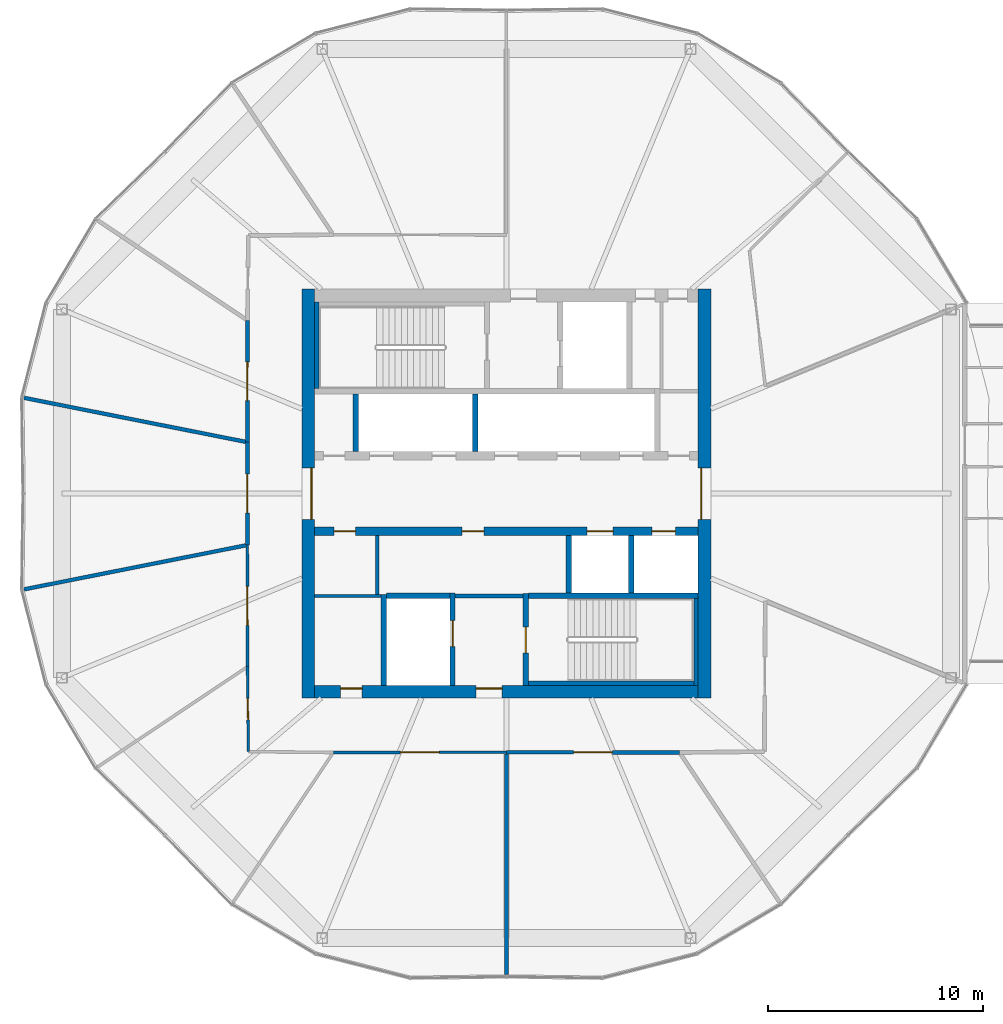
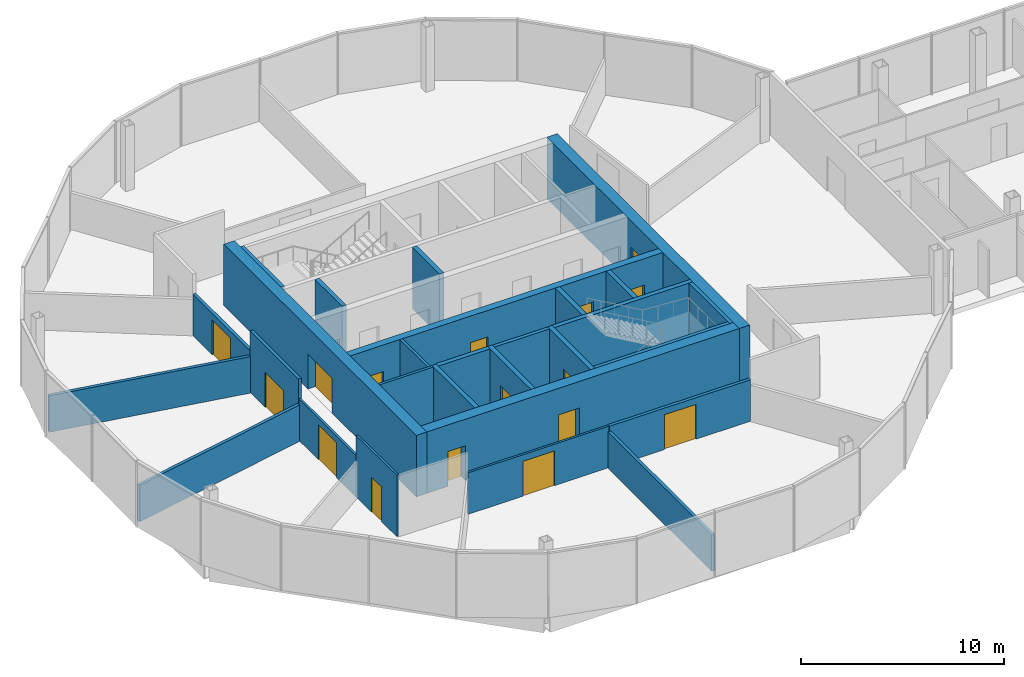
# One storey, part 19 of 26: 28 walls, 16 doors, 16 openings.
"""IFC4 building model written with IfcOpenShell, lengths in metres."""

from ifc_helpers import new_model, si_unit, direction, frame, frame_2d, origin, place, context, subcontext, project, spatial, rectangle, extrude, material, layer, layer_set, type_object, element, fill, save


model = new_model("IFC4")

# Units and contexts
model_context = context("Model", 3, precision=1e-05, world=origin(), true_north=direction((0.0, 1.0)))
body_context = subcontext(model_context, "Body", "Model", "MODEL_VIEW")
ifc_project = project(units=[si_unit("LENGTHUNIT", "METRE"), si_unit("AREAUNIT", "SQUARE_METRE"), si_unit("VOLUMEUNIT", "CUBIC_METRE"), si_unit("PLANEANGLEUNIT", "RADIAN"), si_unit("MASSUNIT", "GRAM", prefix="KILO")], contexts=[model_context])

# Site, building, storey
site_placement = place(None, origin())
site = spatial("IfcSite", under=ifc_project, at=site_placement, CompositionType="ELEMENT")
building_placement = place(site_placement, origin())
building = spatial("IfcBuilding", under=site, at=building_placement, Name="Ogive Gate Towers", CompositionType="ELEMENT")
storey_placement = place(building_placement, frame((0.0, 0.0, 156.800048828125)))
storey = spatial("IfcBuildingStorey", under=building, at=storey_placement, Name="L37", CompositionType="ELEMENT", Elevation=156.800048828125)

# Walls
ifc_material_1 = material(Name="Gypsum board acoustic partition")
ifc_layer_1 = layer(ifc_material_1, 0.175048828125)
ifc_layer_set_1 = layer_set([ifc_layer_1], Name="Acoustic partition 175")
wall_type_1 = type_object("IfcWallType", Name="Acoustic partition 175", PredefinedType="PARTITIONING", material=ifc_layer_set_1)
for number, where, z_axis, x_axis, name in (
    (1, (-58.402099609375, 4.447998046875, 0.0), (0.0, 0.0, 1.0), (0.98085270694, -0.19475103925, 0.0), "Partition T1-L37-006"),
    (2, (-58.402099609375, -4.447998046875, 0.0), (0.0, 0.0, 1.0), (0.98085270694, 0.19475103925, 0.0), "Partition T1-L37-007"),
):
    element("IfcWall", number, at=place(storey_placement, frame(where, z_axis=z_axis, x_axis=x_axis)), inside=storey, type_object=wall_type_1, Name=name, PredefinedType="PARTITIONING", context=body_context, shape_type="SweptSolid", body=[
        extrude(rectangle(XDim=10.491455078125, YDim=0.175048828125, at=frame_2d((5.24560546875, 0.0))), origin(), (0.0, 0.0, 1.0), 2.199951171875),
    ])
wall_1_placement = place(storey_placement, frame((-36.0, -22.339111328125, 0.0), z_axis=(0.0, 0.0, 1.0), x_axis=(0.0, 1.0, 0.0)))
element("IfcWall", 3, at=wall_1_placement, inside=storey, type_object=wall_type_1, Name="Partition T1-L37-010", PredefinedType="PARTITIONING", context=body_context, shape_type="SweptSolid", body=[
    extrude(rectangle(XDim=10.24169921875, YDim=0.175048828125, at=frame_2d((5.120849609375, 0.0))), origin(), (0.0, 0.0, 1.0), 2.199951171875),
])

# Wall, opening, door
wall_2_placement = place(storey_placement, frame((-48.020751953125, 8.0380859375, 0.0), z_axis=(0.0, 0.0, 1.0), x_axis=(-0.000907362226, -0.999999588347, 0.0)))
wall_2 = element("IfcWall", 4, at=wall_2_placement, inside=storey, type_object=wall_type_1, Name="Partition T1-L37-017", PredefinedType="PARTITIONING", context=body_context, shape_type="SweptSolid", body=[
    extrude(rectangle(XDim=5.650390625, YDim=0.175048828125, at=frame_2d((2.8251953125, 0.0))), origin(), (0.0, 0.0, 1.0), 2.5),
])
opening_1_placement = place(wall_2_placement, frame((1.925048828125, 0.0, 0.0)))
opening_1 = element("IfcOpeningElement", 5, at=opening_1_placement, cuts=wall_2, Name="Opening T1-L37-D04", PredefinedType="OPENING", context=body_context, shape_type="SweptSolid", body=[
    extrude(rectangle(XDim=1.800048828125, YDim=2.10009765625, at=frame_2d((0.89990234375, 1.050048828125))), frame((0.0, 0.09765625, 0.0), z_axis=(0.0, -1.0, 0.0), x_axis=(1.0, 0.0, 0.0)), (0.0, 0.0, 1.0), 0.195068359375),
])
ifc_material_2 = material(Name="Timber door", Category="wood")
door_type_1 = type_object("IfcDoorType", Name="Door pair 1800", OperationType="NOTDEFINED", PredefinedType="DOOR", material=ifc_material_2)
door_1_placement = place(opening_1_placement, origin())
door_1 = element("IfcDoor", 6, at=door_1_placement, inside=storey, type_object=door_type_1, Name="Door T1-L37-D04", OperationType="DOUBLE_DOOR_DOUBLE_SWING", OverallHeight=2.10009765625, OverallWidth=1.800048828125, PredefinedType="DOOR", context=body_context, shape_type="SweptSolid", body=[
    extrude(rectangle(XDim=1.800048828125, YDim=2.10009765625, at=frame_2d((0.89990234375, 1.050048828125))), frame((0.0, 0.02490234375, 0.0), z_axis=(0.0, -1.0, 0.0), x_axis=(1.0, 0.0, 0.0)), (0.0, 0.0, 1.0), 0.050048828125),
])
fill(opening_1, door_1)

wall_3_placement = place(storey_placement, frame((-48.02587890625, 2.3876953125, 0.0), z_axis=(0.0, 0.0, 1.0), x_axis=(0.0, -1.0, 0.0)))
wall_3 = element("IfcWall", 7, at=wall_3_placement, inside=storey, type_object=wall_type_1, Name="Partition T1-L37-018", PredefinedType="PARTITIONING", context=body_context, shape_type="SweptSolid", body=[
    extrude(rectangle(XDim=4.775390625, YDim=0.175048828125, at=frame_2d((2.3876953125, 0.0))), origin(), (0.0, 0.0, 1.0), 3.699951171875),
])
opening_2_placement = place(wall_3_placement, frame((1.488037109375, 0.0, 0.0)))
opening_2 = element("IfcOpeningElement", 8, at=opening_2_placement, cuts=wall_3, Name="Opening T1-L37-D05", PredefinedType="OPENING", context=body_context, shape_type="SweptSolid", body=[
    extrude(rectangle(XDim=1.800048828125, YDim=2.10009765625, at=frame_2d((0.89990234375, 1.050048828125))), frame((0.0, 0.09765625, 0.0), z_axis=(0.0, -1.0, 0.0), x_axis=(1.0, 0.0, 0.0)), (0.0, 0.0, 1.0), 0.195068359375),
])
door_2_placement = place(opening_2_placement, origin())
door_2 = element("IfcDoor", 9, at=door_2_placement, inside=storey, type_object=door_type_1, Name="Door T1-L37-D05", OperationType="DOUBLE_DOOR_DOUBLE_SWING", OverallHeight=2.10009765625, OverallWidth=1.800048828125, PredefinedType="DOOR", context=body_context, shape_type="SweptSolid", body=[
    extrude(rectangle(XDim=1.800048828125, YDim=2.10009765625, at=frame_2d((0.89990234375, 1.050048828125))), frame((0.0, 0.02490234375, 0.0), z_axis=(0.0, -1.0, 0.0), x_axis=(1.0, 0.0, 0.0)), (0.0, 0.0, 1.0), 0.050048828125),
])
fill(opening_2, door_2)

wall_4_placement = place(storey_placement, frame((-36.0, -12.010009765625, 0.0), z_axis=(0.0, 0.0, 1.0), x_axis=(0.999999107004, -0.001336409935, 0.0)))
wall_4 = element("IfcWall", 10, at=wall_4_placement, inside=storey, type_object=wall_type_1, Name="Partition T1-L37-023", PredefinedType="PARTITIONING", context=body_context, shape_type="SweptSolid", body=[
    extrude(rectangle(XDim=8.0380859375, YDim=0.175048828125, at=frame_2d((4.01904296875, 0.0))), origin(), (0.0, 0.0, 1.0), 2.5),
])
opening_3_placement = place(wall_4_placement, frame((3.118896484375, 0.0, 0.0)))
opening_3 = element("IfcOpeningElement", 11, at=opening_3_placement, cuts=wall_4, Name="Opening T1-L37-D09", PredefinedType="OPENING", context=body_context, shape_type="SweptSolid", body=[
    extrude(rectangle(XDim=1.800048828125, YDim=2.10009765625, at=frame_2d((0.89990234375, 1.050048828125))), frame((0.0, 0.09765625, 0.0), z_axis=(0.0, -1.0, 0.0), x_axis=(1.0, 0.0, 0.0)), (0.0, 0.0, 1.0), 0.195068359375),
])
door_3_placement = place(opening_3_placement, origin())
door_3 = element("IfcDoor", 12, at=door_3_placement, inside=storey, type_object=door_type_1, Name="Door T1-L37-D09", OperationType="DOUBLE_DOOR_DOUBLE_SWING", OverallHeight=2.10009765625, OverallWidth=1.800048828125, PredefinedType="DOOR", context=body_context, shape_type="SweptSolid", body=[
    extrude(rectangle(XDim=1.800048828125, YDim=2.10009765625, at=frame_2d((0.89990234375, 1.050048828125))), frame((0.0, 0.02490234375, 0.0), z_axis=(0.0, -1.0, 0.0), x_axis=(1.0, 0.0, 0.0)), (0.0, 0.0, 1.0), 0.050048828125),
])
fill(opening_3, door_3)

# Wall
ifc_material_3 = material(Name="Masonry blockwork", Category="masonry")
ifc_layer_2 = layer(ifc_material_3, 0.199951171875)
ifc_layer_set_2 = layer_set([ifc_layer_2], Name="Blockwork wall 200 mm")
wall_type_2 = type_object("IfcWallType", Name="Blockwork wall 200 mm", PredefinedType="PARTITIONING", material=ifc_layer_set_2)
wall_5_placement = place(storey_placement, frame((-38.375, -4.75, 0.0), z_axis=(0.0, 0.0, 1.0), x_axis=(1.0, 0.0, 0.0)))
element("IfcWall", 13, at=wall_5_placement, inside=storey, type_object=wall_type_2, Name="T1 L37 Blockwork wall 200 mm", PredefinedType="PARTITIONING", context=body_context, shape_type="SweptSolid", body=[
    extrude(rectangle(XDim=3.14990234375, YDim=0.199951171875, at=frame_2d((1.574951171875, 0.0))), origin(), (0.0, 0.0, 1.0), 3.699951171875),
])

# Wall, openings, doors
ifc_material_4 = material(Name="Concrete C60/75", Category="concrete")
ifc_layer_3 = layer(ifc_material_4, 0.60009765625)
ifc_layer_set_3 = layer_set([ifc_layer_3], Name="Core wall 600 mm")
wall_type_3 = type_object("IfcWallType", Name="Core wall 600 mm", PredefinedType="SHEAR", material=ifc_layer_set_3)
wall_6_placement = place(storey_placement, frame((-44.89990234375, -9.199951171875, 0.0), z_axis=(0.0, 0.0, 1.0), x_axis=(1.0, 0.0, 0.0)))
wall_6 = element("IfcWall", 14, at=wall_6_placement, inside=storey, type_object=wall_type_3, Name="T1 L37 Core wall 600 mm", PredefinedType="SHEAR", context=body_context, shape_type="SweptSolid", body=[
    extrude(rectangle(XDim=17.7998046875, YDim=0.60009765625, at=frame_2d((8.89990234375, 0.0))), origin(), (0.0, 0.0, 1.0), 3.699951171875),
])
opening_4_placement = place(wall_6_placement, frame((7.5, 0.0, 0.0)))
opening_4 = element("IfcOpeningElement", 15, at=opening_4_placement, cuts=wall_6, Name="Opening KD-T1-L37-19", PredefinedType="OPENING", context=body_context, shape_type="SweptSolid", body=[
    extrude(rectangle(XDim=1.199951171875, YDim=2.10009765625, at=frame_2d((0.60009765625, 1.050048828125))), frame((0.0, 0.31005859375, 0.0), z_axis=(0.0, -1.0, 0.0), x_axis=(1.0, 0.0, 0.0)), (0.0, 0.0, 1.0), 0.6201171875),
])
opening_5_placement = place(wall_6_placement, frame((1.199951171875, 0.0, 0.0)))
opening_5 = element("IfcOpeningElement", 16, at=opening_5_placement, cuts=wall_6, Name="Opening KD-T1-L37-22", PredefinedType="OPENING", context=body_context, shape_type="SweptSolid", body=[
    extrude(rectangle(XDim=1.0, YDim=2.10009765625, at=frame_2d((0.5, 1.050048828125))), frame((0.0, 0.31005859375, 0.0), z_axis=(0.0, -1.0, 0.0), x_axis=(1.0, 0.0, 0.0)), (0.0, 0.0, 1.0), 0.6201171875),
])
door_type_2 = type_object("IfcDoorType", Name="Accessible WC door 1000 x 2100", OperationType="NOTDEFINED", PredefinedType="DOOR", material=ifc_material_2)
door_4_placement = place(opening_5_placement, origin())
door_4 = element("IfcDoor", 17, at=door_4_placement, inside=storey, type_object=door_type_2, Name="T1 L37 Core door", OperationType="SINGLE_SWING_LEFT", OverallHeight=2.10009765625, OverallWidth=1.0, PredefinedType="DOOR", context=body_context, shape_type="SweptSolid", body=[
    extrude(rectangle(XDim=1.0, YDim=2.10009765625, at=frame_2d((0.5, 1.050048828125))), frame((0.0, 0.1748046875, 0.0), z_axis=(0.0, -1.0, 0.0), x_axis=(1.0, 0.0, 0.0)), (0.0, 0.0, 1.0), 0.050048828125),
])
fill(opening_5, door_4)
ifc_material_5 = material(Name="Steel fire door", Category="steel")
door_type_3 = type_object("IfcDoorType", Name="Core door FD60S 1200 x 2100", OperationType="NOTDEFINED", PredefinedType="DOOR", material=ifc_material_5)
door_5_placement = place(opening_4_placement, origin())
door_5 = element("IfcDoor", 18, at=door_5_placement, inside=storey, type_object=door_type_3, Name="T1 L37 Fire-fighting lobby door", OperationType="SINGLE_SWING_RIGHT", OverallHeight=2.10009765625, OverallWidth=1.199951171875, PredefinedType="DOOR", context=body_context, shape_type="SweptSolid", body=[
    extrude(rectangle(XDim=1.199951171875, YDim=2.10009765625, at=frame_2d((0.60009765625, 1.050048828125))), frame((0.0, 0.1748046875, 0.0), z_axis=(0.0, -1.0, 0.0), x_axis=(1.0, 0.0, 0.0)), (0.0, 0.0, 1.0), 0.050048828125),
])
fill(opening_4, door_5)

# Wall, opening, door
wall_7_placement = place(storey_placement, frame((-45.199951171875, -9.5, 0.0), z_axis=(0.0, 0.0, 1.0), x_axis=(0.0, 1.0, 0.0)))
wall_7 = element("IfcWall", 19, at=wall_7_placement, inside=storey, type_object=wall_type_3, Name="T1 L37 Core wall 600 mm", PredefinedType="SHEAR", context=body_context, shape_type="SweptSolid", body=[
    extrude(rectangle(XDim=19.0, YDim=0.60009765625, at=frame_2d((9.5, 0.0))), origin(), (0.0, 0.0, 1.0), 3.699951171875),
])
opening_6_placement = place(wall_7_placement, frame((8.300048828125, 0.0, 0.0)))
opening_6 = element("IfcOpeningElement", 20, at=opening_6_placement, cuts=wall_7, Name="Opening KD-T1-L37-01", PredefinedType="OPENING", context=body_context, shape_type="SweptSolid", body=[
    extrude(rectangle(XDim=2.39990234375, YDim=2.10009765625, at=frame_2d((1.199951171875, 1.050048828125))), frame((0.0, 0.31005859375, 0.0), z_axis=(0.0, -1.0, 0.0), x_axis=(1.0, 0.0, 0.0)), (0.0, 0.0, 1.0), 0.6201171875),
])
door_type_4 = type_object("IfcDoorType", Name="Core double door FD60S 2400 x 2100", OperationType="DOUBLE_DOOR_SINGLE_SWING", PredefinedType="DOOR", material=ifc_material_5)
door_6_placement = place(opening_6_placement, origin())
door_6 = element("IfcDoor", 21, at=door_6_placement, inside=storey, type_object=door_type_4, Name="T1 L37 Core door double", OperationType="DOUBLE_DOOR_SINGLE_SWING", OverallHeight=2.10009765625, OverallWidth=2.39990234375, PredefinedType="DOOR", context=body_context, shape_type="SweptSolid", body=[
    extrude(rectangle(XDim=2.39990234375, YDim=2.10009765625, at=frame_2d((1.199951171875, 1.050048828125))), frame((0.0, -0.125, 0.0), z_axis=(0.0, -1.0, 0.0), x_axis=(1.0, 0.0, 0.0)), (0.0, 0.0, 1.0), 0.050048828125),
])
fill(opening_6, door_6)

wall_8_placement = place(storey_placement, frame((-26.800048828125, -9.5, 0.0), z_axis=(0.0, 0.0, 1.0), x_axis=(0.0, 1.0, 0.0)))
wall_8 = element("IfcWall", 22, at=wall_8_placement, inside=storey, type_object=wall_type_3, Name="T1 L37 Core wall 600 mm", PredefinedType="SHEAR", context=body_context, shape_type="SweptSolid", body=[
    extrude(rectangle(XDim=19.0, YDim=0.60009765625, at=frame_2d((9.5, 0.0))), origin(), (0.0, 0.0, 1.0), 3.699951171875),
])
opening_7_placement = place(wall_8_placement, frame((8.300048828125, 0.0, 0.0)))
opening_7 = element("IfcOpeningElement", 23, at=opening_7_placement, cuts=wall_8, Name="Opening KD-T1-L37-02", PredefinedType="OPENING", context=body_context, shape_type="SweptSolid", body=[
    extrude(rectangle(XDim=2.39990234375, YDim=2.10009765625, at=frame_2d((1.199951171875, 1.050048828125))), frame((0.0, 0.31005859375, 0.0), z_axis=(0.0, -1.0, 0.0), x_axis=(1.0, 0.0, 0.0)), (0.0, 0.0, 1.0), 0.6201171875),
])
door_7_placement = place(opening_7_placement, origin())
door_7 = element("IfcDoor", 24, at=door_7_placement, inside=storey, type_object=door_type_4, Name="T1 L37 Core door double", OperationType="DOUBLE_DOOR_SINGLE_SWING", OverallHeight=2.10009765625, OverallWidth=2.39990234375, PredefinedType="DOOR", context=body_context, shape_type="SweptSolid", body=[
    extrude(rectangle(XDim=2.39990234375, YDim=2.10009765625, at=frame_2d((1.199951171875, 1.050048828125))), frame((0.0, 0.1748046875, 0.0), z_axis=(0.0, -1.0, 0.0), x_axis=(1.0, 0.0, 0.0)), (0.0, 0.0, 1.0), 0.050048828125),
])
fill(opening_7, door_7)

ifc_material_6 = material(Name="Gypsum board partition")
ifc_layer_4 = layer(ifc_material_6, 0.125)
ifc_layer_set_4 = layer_set([ifc_layer_4], Name="Partition 125")
wall_type_4 = type_object("IfcWallType", Name="Partition 125", PredefinedType="PARTITIONING", material=ifc_layer_set_4)
wall_9_placement = place(storey_placement, frame((-48.02587890625, -2.3876953125, 0.0), z_axis=(0.0, 0.0, 1.0), x_axis=(0.000907362226, -0.999999588347, 0.0)))
wall_9 = element("IfcWall", 25, at=wall_9_placement, inside=storey, type_object=wall_type_4, Name="Partition T1-L37-019", PredefinedType="PARTITIONING", context=body_context, shape_type="SweptSolid", body=[
    extrude(rectangle(XDim=5.650390625, YDim=0.125, at=frame_2d((2.8251953125, 0.0))), origin(), (0.0, 0.0, 1.0), 2.5),
])
opening_8_placement = place(wall_9_placement, frame((1.925048828125, 0.0, 0.0)))
opening_8 = element("IfcOpeningElement", 26, at=opening_8_placement, cuts=wall_9, Name="Opening T1-L37-D06", PredefinedType="OPENING", context=body_context, shape_type="SweptSolid", body=[
    extrude(rectangle(XDim=1.800048828125, YDim=2.10009765625, at=frame_2d((0.89990234375, 1.050048828125))), frame((0.0, 0.072509765625, 0.0), z_axis=(0.0, -1.0, 0.0), x_axis=(1.0, 0.0, 0.0)), (0.0, 0.0, 1.0), 0.14501953125),
])
door_8_placement = place(opening_8_placement, origin())
door_8 = element("IfcDoor", 27, at=door_8_placement, inside=storey, type_object=door_type_1, Name="Door T1-L37-D06", OperationType="DOUBLE_DOOR_DOUBLE_SWING", OverallHeight=2.10009765625, OverallWidth=1.800048828125, PredefinedType="DOOR", context=body_context, shape_type="SweptSolid", body=[
    extrude(rectangle(XDim=1.800048828125, YDim=2.10009765625, at=frame_2d((0.89990234375, 1.050048828125))), frame((0.0, 0.02490234375, 0.0), z_axis=(0.0, -1.0, 0.0), x_axis=(1.0, 0.0, 0.0)), (0.0, 0.0, 1.0), 0.050048828125),
])
fill(opening_8, door_8)

wall_10_placement = place(storey_placement, frame((-48.020751953125, -8.0380859375, 0.0), z_axis=(0.0, 0.0, 1.0), x_axis=(0.010342565829, -0.999946514236, 0.0)))
wall_10 = element("IfcWall", 28, at=wall_10_placement, inside=storey, type_object=wall_type_4, Name="Partition T1-L37-020", PredefinedType="PARTITIONING", context=body_context, shape_type="SweptSolid", body=[
    extrude(rectangle(XDim=3.942138671875, YDim=0.125, at=frame_2d((1.97119140625, 0.0))), origin(), (0.0, 0.0, 1.0), 3.699951171875),
])
opening_9_placement = place(wall_10_placement, frame((1.470947265625, 0.0, 0.0)))
opening_9 = element("IfcOpeningElement", 29, at=opening_9_placement, cuts=wall_10, Name="Opening T1-L37-D07", PredefinedType="OPENING", context=body_context, shape_type="SweptSolid", body=[
    extrude(rectangle(XDim=1.0, YDim=2.10009765625, at=frame_2d((0.5, 1.050048828125))), frame((0.0, 0.072509765625, 0.0), z_axis=(0.0, -1.0, 0.0), x_axis=(1.0, 0.0, 0.0)), (0.0, 0.0, 1.0), 0.14501953125),
])
door_type_5 = type_object("IfcDoorType", Name="Door 1000", OperationType="NOTDEFINED", PredefinedType="DOOR", material=ifc_material_2)
door_9_placement = place(opening_9_placement, origin())
door_9 = element("IfcDoor", 30, at=door_9_placement, inside=storey, type_object=door_type_5, Name="Door T1-L37-D07", OperationType="SINGLE_SWING_RIGHT", OverallHeight=2.10009765625, OverallWidth=1.0, PredefinedType="DOOR", context=body_context, shape_type="SweptSolid", body=[
    extrude(rectangle(XDim=1.0, YDim=2.10009765625, at=frame_2d((0.5, 1.050048828125))), frame((0.0, 0.02490234375, 0.0), z_axis=(0.0, -1.0, 0.0), x_axis=(1.0, 0.0, 0.0)), (0.0, 0.0, 1.0), 0.050048828125),
])
fill(opening_9, door_9)

wall_11_placement = place(storey_placement, frame((-44.0380859375, -12.020751953125, 0.0), z_axis=(0.0, 0.0, 1.0), x_axis=(0.999999107004, 0.001336409935, 0.0)))
wall_11 = element("IfcWall", 31, at=wall_11_placement, inside=storey, type_object=wall_type_4, Name="Partition T1-L37-022", PredefinedType="PARTITIONING", context=body_context, shape_type="SweptSolid", body=[
    extrude(rectangle(XDim=8.0380859375, YDim=0.125, at=frame_2d((4.01904296875, 0.0))), origin(), (0.0, 0.0, 1.0), 2.5),
])
opening_10_placement = place(wall_11_placement, frame((3.118896484375, 0.0, 0.0)))
opening_10 = element("IfcOpeningElement", 32, at=opening_10_placement, cuts=wall_11, Name="Opening T1-L37-D08", PredefinedType="OPENING", context=body_context, shape_type="SweptSolid", body=[
    extrude(rectangle(XDim=1.800048828125, YDim=2.10009765625, at=frame_2d((0.89990234375, 1.050048828125))), frame((0.0, 0.072509765625, 0.0), z_axis=(0.0, -1.0, 0.0), x_axis=(1.0, 0.0, 0.0)), (0.0, 0.0, 1.0), 0.14501953125),
])
door_10_placement = place(opening_10_placement, origin())
door_10 = element("IfcDoor", 33, at=door_10_placement, inside=storey, type_object=door_type_1, Name="Door T1-L37-D08", OperationType="DOUBLE_DOOR_DOUBLE_SWING", OverallHeight=2.10009765625, OverallWidth=1.800048828125, PredefinedType="DOOR", context=body_context, shape_type="SweptSolid", body=[
    extrude(rectangle(XDim=1.800048828125, YDim=2.10009765625, at=frame_2d((0.89990234375, 1.050048828125))), frame((0.0, 0.02490234375, 0.0), z_axis=(0.0, -1.0, 0.0), x_axis=(1.0, 0.0, 0.0)), (0.0, 0.0, 1.0), 0.050048828125),
])
fill(opening_10, door_10)

# Walls
ifc_layer_5 = layer(ifc_material_6, 0.14990234375)
ifc_layer_set_5 = layer_set([ifc_layer_5], Name="Room partition 150 mm")
wall_type_5 = type_object("IfcWallType", Name="Room partition 150 mm", PredefinedType="PARTITIONING", material=ifc_layer_set_5)
wall_12_placement = place(storey_placement, frame((-44.89990234375, -4.75, 0.0), z_axis=(0.0, 0.0, 1.0), x_axis=(1.0, 0.0, 0.0)))
element("IfcWall", 34, at=wall_12_placement, inside=storey, type_object=wall_type_5, Name="T1 L37 Room partition 150 mm", PredefinedType="PARTITIONING", context=body_context, shape_type="SweptSolid", body=[
    extrude(rectangle(XDim=3.074951171875, YDim=0.14990234375, at=frame_2d((1.53759765625, 0.0))), origin(), (0.0, 0.0, 1.0), 3.699951171875),
])
wall_13_placement = place(storey_placement, frame((-42.0, -4.675048828125, 0.0), z_axis=(0.0, 0.0, 1.0), x_axis=(0.0, 1.0, 0.0)))
element("IfcWall", 35, at=wall_13_placement, inside=storey, type_object=wall_type_5, Name="T1 L37 Room partition 150 mm", PredefinedType="PARTITIONING", context=body_context, shape_type="SweptSolid", body=[
    extrude(rectangle(XDim=2.72509765625, YDim=0.14990234375, at=frame_2d((1.362548828125, 0.0))), origin(), (0.0, 0.0, 1.0), 3.699951171875),
])
ifc_layer_6 = layer(ifc_material_4, 0.25)
ifc_layer_set_6 = layer_set([ifc_layer_6], Name="Shaft wall 250 mm")
wall_type_6 = type_object("IfcWallType", Name="Shaft wall 250 mm", PredefinedType="SHEAR", material=ifc_layer_set_6)
wall_14_placement = place(storey_placement, frame((-41.574951171875, -4.75, 0.0), z_axis=(0.0, 0.0, 1.0), x_axis=(1.0, 0.0, 0.0)))
element("IfcWall", 36, at=wall_14_placement, inside=storey, type_object=wall_type_6, Name="T1 L37 Shaft wall 250 mm", PredefinedType="SHEAR", context=body_context, shape_type="SweptSolid", body=[
    extrude(rectangle(XDim=2.949951171875, YDim=0.25, at=frame_2d((1.47509765625, 0.0))), origin(), (0.0, 0.0, 1.0), 3.699951171875),
])
wall_15_placement = place(storey_placement, frame((-34.97509765625, -4.75, 0.0), z_axis=(0.0, 0.0, 1.0), x_axis=(1.0, 0.0, 0.0)))
element("IfcWall", 37, at=wall_15_placement, inside=storey, type_object=wall_type_6, Name="T1 L37 Shaft wall 250 mm", PredefinedType="SHEAR", context=body_context, shape_type="SweptSolid", body=[
    extrude(rectangle(XDim=7.875, YDim=0.25, at=frame_2d((3.9375, 0.0))), origin(), (0.0, 0.0, 1.0), 3.699951171875),
])
wall_16_placement = place(storey_placement, frame((-43.0, 1.949951171875, 0.0), z_axis=(0.0, 0.0, 1.0), x_axis=(0.0, 1.0, 0.0)))
element("IfcWall", 38, at=wall_16_placement, inside=storey, type_object=wall_type_6, Name="T1 L37 Shaft wall 250 mm", PredefinedType="SHEAR", context=body_context, shape_type="SweptSolid", body=[
    extrude(rectangle(XDim=2.675048828125, YDim=0.25, at=frame_2d((1.33740234375, 0.0))), origin(), (0.0, 0.0, 1.0), 3.699951171875),
])
wall_17_placement = place(storey_placement, frame((-41.699951171875, -8.89990234375, 0.0), z_axis=(0.0, 0.0, 1.0), x_axis=(0.0, 1.0, 0.0)))
element("IfcWall", 39, at=wall_17_placement, inside=storey, type_object=wall_type_6, Name="T1 L37 Shaft wall 250 mm", PredefinedType="SHEAR", context=body_context, shape_type="SweptSolid", body=[
    extrude(rectangle(XDim=4.224853515625, YDim=0.25, at=frame_2d((2.1123046875, 0.0))), origin(), (0.0, 0.0, 1.0), 3.699951171875),
])

# Wall, opening, door
wall_18_placement = place(storey_placement, frame((-38.5, -8.89990234375, 0.0), z_axis=(0.0, 0.0, 1.0), x_axis=(0.0, 1.0, 0.0)))
wall_18 = element("IfcWall", 40, at=wall_18_placement, inside=storey, type_object=wall_type_6, Name="T1 L37 Shaft wall 250 mm", PredefinedType="SHEAR", context=body_context, shape_type="SweptSolid", body=[
    extrude(rectangle(XDim=4.27490234375, YDim=0.25, at=frame_2d((2.137451171875, 0.0))), origin(), (0.0, 0.0, 1.0), 3.699951171875),
])
opening_11_placement = place(wall_18_placement, frame((1.800048828125, 0.0, 0.0)))
opening_11 = element("IfcOpeningElement", 41, at=opening_11_placement, cuts=wall_18, Name="Opening LD-T1-L37-13", PredefinedType="OPENING", context=body_context, shape_type="SweptSolid", body=[
    extrude(rectangle(XDim=1.199951171875, YDim=2.10009765625, at=frame_2d((0.60009765625, 1.050048828125))), frame((0.0, 0.135009765625, 0.0), z_axis=(0.0, -1.0, 0.0), x_axis=(1.0, 0.0, 0.0)), (0.0, 0.0, 1.0), 0.27001953125),
])
ifc_material_7 = material(Name="Stainless steel landing door", Category="steel")
door_type_6 = type_object("IfcDoorType", Name="Landing door 1200 x 2100", OperationType="SLIDING_TO_LEFT", PredefinedType="DOOR", material=ifc_material_7)
door_11_placement = place(opening_11_placement, origin())
door_11 = element("IfcDoor", 42, at=door_11_placement, inside=storey, type_object=door_type_6, Name="T1 L37 Lift landing door FF2", OperationType="SLIDING_TO_LEFT", OverallHeight=2.10009765625, OverallWidth=1.199951171875, PredefinedType="DOOR", context=body_context, shape_type="SweptSolid", body=[
    extrude(rectangle(XDim=1.199951171875, YDim=2.10009765625, at=frame_2d((0.60009765625, 1.050048828125))), frame((0.0, 0.02490234375, 0.0), z_axis=(0.0, -1.0, 0.0), x_axis=(1.0, 0.0, 0.0)), (0.0, 0.0, 1.0), 0.050048828125),
])
fill(opening_11, door_11)

# Wall
wall_19_placement = place(storey_placement, frame((-37.449951171875, 1.949951171875, 0.0), z_axis=(0.0, 0.0, 1.0), x_axis=(0.0, 1.0, 0.0)))
element("IfcWall", 43, at=wall_19_placement, inside=storey, type_object=wall_type_6, Name="T1 L37 Shaft wall 250 mm", PredefinedType="SHEAR", context=body_context, shape_type="SweptSolid", body=[
    extrude(rectangle(XDim=2.675048828125, YDim=0.25, at=frame_2d((1.33740234375, 0.0))), origin(), (0.0, 0.0, 1.0), 3.699951171875),
])

# Wall, opening, door
wall_20_placement = place(storey_placement, frame((-35.10009765625, -8.89990234375, 0.0), z_axis=(0.0, 0.0, 1.0), x_axis=(0.0, 1.0, 0.0)))
wall_20 = element("IfcWall", 44, at=wall_20_placement, inside=storey, type_object=wall_type_6, Name="T1 L37 Shaft wall 250 mm", PredefinedType="SHEAR", context=body_context, shape_type="SweptSolid", body=[
    extrude(rectangle(XDim=4.25, YDim=0.25, at=frame_2d((2.125, 0.0))), origin(), (0.0, 0.0, 1.0), 3.699951171875),
])
opening_12_placement = place(wall_20_placement, frame((1.5, 0.0, 0.0)))
opening_12 = element("IfcOpeningElement", 45, at=opening_12_placement, cuts=wall_20, Name="Opening KD-T1-L37-17", PredefinedType="OPENING", context=body_context, shape_type="SweptSolid", body=[
    extrude(rectangle(XDim=1.199951171875, YDim=2.10009765625, at=frame_2d((0.60009765625, 1.050048828125))), frame((0.0, 0.135009765625, 0.0), z_axis=(0.0, -1.0, 0.0), x_axis=(1.0, 0.0, 0.0)), (0.0, 0.0, 1.0), 0.27001953125),
])
door_12_placement = place(opening_12_placement, origin())
door_12 = element("IfcDoor", 46, at=door_12_placement, inside=storey, type_object=door_type_3, Name="T1 L37 Stair door", OperationType="SINGLE_SWING_RIGHT", OverallHeight=2.10009765625, OverallWidth=1.199951171875, PredefinedType="DOOR", context=body_context, shape_type="SweptSolid", body=[
    extrude(rectangle(XDim=1.199951171875, YDim=2.10009765625, at=frame_2d((0.60009765625, 1.050048828125))), frame((0.0, 0.02490234375, 0.0), z_axis=(0.0, -1.0, 0.0), x_axis=(1.0, 0.0, 0.0)), (0.0, 0.0, 1.0), 0.050048828125),
])
fill(opening_12, door_12)

# Walls
for number, where, z_axis, x_axis, name in (
    (47, (-33.10009765625, -4.625, 0.0), (0.0, 0.0, 1.0), (0.0, 1.0, 0.0), "T1 L37 Shaft wall 250 mm"),
    (48, (-30.199951171875, -4.625, 0.0), (0.0, 0.0, 1.0), (0.0, 1.0, 0.0), "T1 L37 Shaft wall 250 mm"),
):
    element("IfcWall", number, at=place(storey_placement, frame(where, z_axis=z_axis, x_axis=x_axis)), inside=storey, type_object=wall_type_6, Name=name, PredefinedType="SHEAR", context=body_context, shape_type="SweptSolid", body=[
        extrude(rectangle(XDim=2.675048828125, YDim=0.25, at=frame_2d((1.33740234375, 0.0))), origin(), (0.0, 0.0, 1.0), 3.699951171875),
    ])

# Wall, openings, doors
ifc_layer_7 = layer(ifc_material_4, 0.39990234375)
ifc_layer_set_7 = layer_set([ifc_layer_7], Name="Spine wall 400 mm")
wall_type_7 = type_object("IfcWallType", Name="Spine wall 400 mm", PredefinedType="SHEAR", material=ifc_layer_set_7)
wall_21_placement = place(storey_placement, frame((-44.89990234375, -1.75, 0.0), z_axis=(0.0, 0.0, 1.0), x_axis=(1.0, 0.0, 0.0)))
wall_21 = element("IfcWall", 49, at=wall_21_placement, inside=storey, type_object=wall_type_7, Name="T1 L37 Spine wall 400 mm", PredefinedType="SHEAR", context=body_context, shape_type="SweptSolid", body=[
    extrude(rectangle(XDim=17.7998046875, YDim=0.39990234375, at=frame_2d((8.89990234375, 0.0))), origin(), (0.0, 0.0, 1.0), 3.699951171875),
])
opening_13_placement = place(wall_21_placement, frame((12.64990234375, 0.0, 0.0)))
opening_13 = element("IfcOpeningElement", 50, at=opening_13_placement, cuts=wall_21, Name="Opening LD-T1-L37-10", PredefinedType="OPENING", context=body_context, shape_type="SweptSolid", body=[
    extrude(rectangle(XDim=1.199951171875, YDim=2.10009765625, at=frame_2d((0.60009765625, 1.050048828125))), frame((0.0, 0.2099609375, 0.0), z_axis=(0.0, -1.0, 0.0), x_axis=(1.0, 0.0, 0.0)), (0.0, 0.0, 1.0), 0.419921875),
])
opening_14_placement = place(wall_21_placement, frame((15.64990234375, 0.0, 0.0)))
opening_14 = element("IfcOpeningElement", 51, at=opening_14_placement, cuts=wall_21, Name="Opening LD-T1-L37-11", PredefinedType="OPENING", context=body_context, shape_type="SweptSolid", body=[
    extrude(rectangle(XDim=1.10009765625, YDim=2.10009765625, at=frame_2d((0.550048828125, 1.050048828125))), frame((0.0, 0.2099609375, 0.0), z_axis=(0.0, -1.0, 0.0), x_axis=(1.0, 0.0, 0.0)), (0.0, 0.0, 1.0), 0.419921875),
])
opening_15_placement = place(wall_21_placement, frame((0.89990234375, 0.0, 0.0)))
opening_15 = element("IfcOpeningElement", 52, at=opening_15_placement, cuts=wall_21, Name="Opening KD-T1-L37-14", PredefinedType="OPENING", context=body_context, shape_type="SweptSolid", body=[
    extrude(rectangle(XDim=1.0, YDim=2.10009765625, at=frame_2d((0.5, 1.050048828125))), frame((0.0, 0.2099609375, 0.0), z_axis=(0.0, -1.0, 0.0), x_axis=(1.0, 0.0, 0.0)), (0.0, 0.0, 1.0), 0.419921875),
])
opening_16_placement = place(wall_21_placement, frame((6.85009765625, 0.0, 0.0)))
opening_16 = element("IfcOpeningElement", 53, at=opening_16_placement, cuts=wall_21, Name="Opening KD-T1-L37-15", PredefinedType="OPENING", context=body_context, shape_type="SweptSolid", body=[
    extrude(rectangle(XDim=1.0, YDim=2.10009765625, at=frame_2d((0.5, 1.050048828125))), frame((0.0, 0.2099609375, 0.0), z_axis=(0.0, -1.0, 0.0), x_axis=(1.0, 0.0, 0.0)), (0.0, 0.0, 1.0), 0.419921875),
])
door_type_7 = type_object("IfcDoorType", Name="Core door FD60S 1000 x 2100", OperationType="NOTDEFINED", PredefinedType="DOOR", material=ifc_material_5)
door_13_placement = place(opening_15_placement, origin())
door_13 = element("IfcDoor", 54, at=door_13_placement, inside=storey, type_object=door_type_7, Name="T1 L37 Core door", OperationType="SINGLE_SWING_LEFT", OverallHeight=2.10009765625, OverallWidth=1.0, PredefinedType="DOOR", context=body_context, shape_type="SweptSolid", body=[
    extrude(rectangle(XDim=1.0, YDim=2.10009765625, at=frame_2d((0.5, 1.050048828125))), frame((0.0, 0.02490234375, 0.0), z_axis=(0.0, -1.0, 0.0), x_axis=(1.0, 0.0, 0.0)), (0.0, 0.0, 1.0), 0.050048828125),
])
fill(opening_15, door_13)
door_14_placement = place(opening_16_placement, origin())
door_14 = element("IfcDoor", 55, at=door_14_placement, inside=storey, type_object=door_type_7, Name="T1 L37 Core door", OperationType="SINGLE_SWING_RIGHT", OverallHeight=2.10009765625, OverallWidth=1.0, PredefinedType="DOOR", context=body_context, shape_type="SweptSolid", body=[
    extrude(rectangle(XDim=1.0, YDim=2.10009765625, at=frame_2d((0.5, 1.050048828125))), frame((0.0, 0.02490234375, 0.0), z_axis=(0.0, -1.0, 0.0), x_axis=(1.0, 0.0, 0.0)), (0.0, 0.0, 1.0), 0.050048828125),
])
fill(opening_16, door_14)
door_type_8 = type_object("IfcDoorType", Name="Landing door 1100 x 2100", OperationType="SLIDING_TO_LEFT", PredefinedType="DOOR", material=ifc_material_7)
door_15_placement = place(opening_14_placement, origin())
door_15 = element("IfcDoor", 56, at=door_15_placement, inside=storey, type_object=door_type_8, Name="T1 L37 Lift landing door B6", OperationType="SLIDING_TO_LEFT", OverallHeight=2.10009765625, OverallWidth=1.10009765625, PredefinedType="DOOR", context=body_context, shape_type="SweptSolid", body=[
    extrude(rectangle(XDim=1.10009765625, YDim=2.10009765625, at=frame_2d((0.550048828125, 1.050048828125))), frame((0.0, 0.02490234375, 0.0), z_axis=(0.0, -1.0, 0.0), x_axis=(1.0, 0.0, 0.0)), (0.0, 0.0, 1.0), 0.050048828125),
])
fill(opening_14, door_15)
door_16_placement = place(opening_13_placement, origin())
door_16 = element("IfcDoor", 57, at=door_16_placement, inside=storey, type_object=door_type_6, Name="T1 L37 Lift landing door SVC", OperationType="SLIDING_TO_LEFT", OverallHeight=2.10009765625, OverallWidth=1.199951171875, PredefinedType="DOOR", context=body_context, shape_type="SweptSolid", body=[
    extrude(rectangle(XDim=1.199951171875, YDim=2.10009765625, at=frame_2d((0.60009765625, 1.050048828125))), frame((0.0, 0.02490234375, 0.0), z_axis=(0.0, -1.0, 0.0), x_axis=(1.0, 0.0, 0.0)), (0.0, 0.0, 1.0), 0.050048828125),
])
fill(opening_13, door_16)

# Walls
ifc_layer_8 = layer(ifc_material_4, 0.199951171875)
ifc_layer_set_8 = layer_set([ifc_layer_8], Name="Stair wall 200 mm")
wall_type_8 = type_object("IfcWallType", Name="Stair wall 200 mm", PredefinedType="SHEAR", material=ifc_layer_set_8)
wall_22_placement = place(storey_placement, frame((-34.97509765625, -8.800048828125, 0.0), z_axis=(0.0, 0.0, 1.0), x_axis=(1.0, 0.0, 0.0)))
element("IfcWall", 58, at=wall_22_placement, inside=storey, type_object=wall_type_8, Name="T1 L37 Stair wall 200 mm", PredefinedType="SHEAR", context=body_context, shape_type="SweptSolid", body=[
    extrude(rectangle(XDim=7.675048828125, YDim=0.199951171875, at=frame_2d((3.83740234375, 0.0))), origin(), (0.0, 0.0, 1.0), 3.699951171875),
])
for number, where, z_axis, x_axis, name in (
    (59, (-44.800048828125, 4.875, 0.0), (0.0, 0.0, 1.0), (0.0, 1.0, 0.0), "T1 L37 Stair wall 200 mm"),
    (60, (-27.199951171875, -8.89990234375, 0.0), (0.0, 0.0, 1.0), (0.0, 1.0, 0.0), "T1 L37 Stair wall 200 mm"),
):
    element("IfcWall", number, at=place(storey_placement, frame(where, z_axis=z_axis, x_axis=x_axis)), inside=storey, type_object=wall_type_8, Name=name, PredefinedType="SHEAR", context=body_context, shape_type="SweptSolid", body=[
        extrude(rectangle(XDim=4.02490234375, YDim=0.199951171875, at=frame_2d((2.012451171875, 0.0))), origin(), (0.0, 0.0, 1.0), 3.699951171875),
    ])

save(model, "model.ifc")
